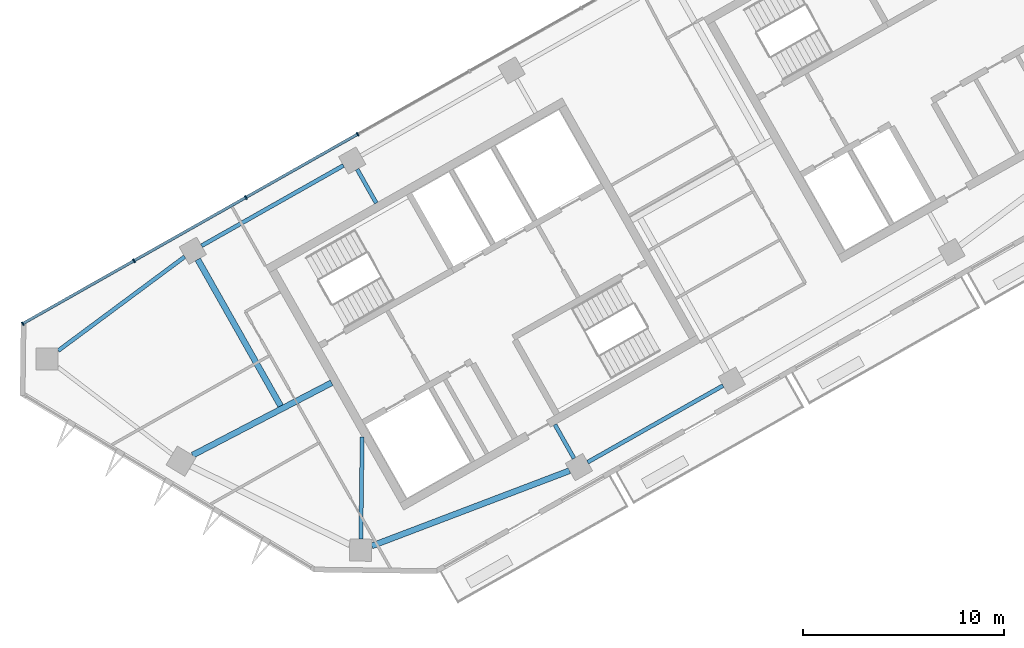
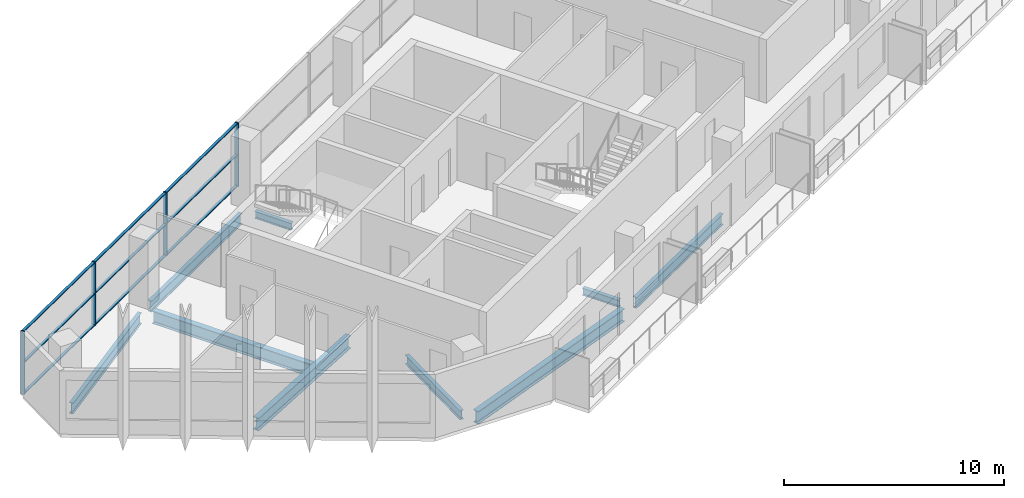
# One storey, part 2 of 10: 13 members, 9 beams, 1 element without a shape of its own.
"""IFC4 building model written with IfcOpenShell, lengths in metres."""

from ifc_helpers import new_model, si_unit, direction, frame, origin, origin_2d, place, context, subcontext, project, spatial, rectangle, i_section, extrude, material, material_profile, profile_set, type_object, element, aggregate, save


model = new_model("IFC4")

# Units and contexts
model_context = context("Model", 3, precision=1e-05, world=origin(), true_north=direction((0.0, 1.0)))
body_context = subcontext(model_context, "Body", "Model", "MODEL_VIEW")
ifc_project = project(units=[si_unit("LENGTHUNIT", "METRE"), si_unit("AREAUNIT", "SQUARE_METRE"), si_unit("VOLUMEUNIT", "CUBIC_METRE"), si_unit("PLANEANGLEUNIT", "RADIAN"), si_unit("MASSUNIT", "GRAM", prefix="KILO")], contexts=[model_context])

# Site, building, storey
site_placement = place(None, origin())
site = spatial("IfcSite", under=ifc_project, at=site_placement, CompositionType="ELEMENT")
building_placement = place(site_placement, origin())
building = spatial("IfcBuilding", under=site, at=building_placement, Name="Binnacle Exchange Tower", CompositionType="ELEMENT")
storey_placement = place(building_placement, frame((0.0, 0.0, 339.300048828125)))
storey = spatial("IfcBuildingStorey", under=building, at=storey_placement, Name="L77", CompositionType="ELEMENT", Elevation=339.300048828125)

# Curtain wall, members
ifc_material_1 = material(Name="Bronze anodised aluminium frame", Category="aluminium")
curtain_wall_type = type_object("IfcCurtainWallType", Name="External wall - curtain wall executive floors", PredefinedType="NOTDEFINED", material=ifc_material_1)
curtain_wall_placement = place(storey_placement, origin())
curtain_wall = element("IfcCurtainWall", 1, at=curtain_wall_placement, inside=storey, type_object=curtain_wall_type, Name="External wall curtain wall CW4-H03 L77", PredefinedType="NOTDEFINED")
ifc_material_profile_1 = material_profile(ifc_material_1, rectangle(XDim=0.199951171875, YDim=0.070068359375, at=origin_2d()), Name="AL 70x200")
ifc_profile_set_1 = profile_set([ifc_material_profile_1], Name="Bronze anodised aluminium frame")
member_type_1 = type_object("IfcMemberType", Name="CW4 MULLION 70x200", PredefinedType="MULLION", material=ifc_profile_set_1)
member_1_placement = place(storey_placement, frame((-42.0078125, 48.233154296875, 0.0), z_axis=(0.0, 0.0, 1.0), x_axis=(0.492423763019, -0.870355581136, 0.0)))
member_1 = element("IfcMember", 2, at=member_1_placement, type_object=member_type_1, Name="CW4-H03 mullion 8", PredefinedType="MULLION", context=body_context, shape_type="SweptSolid", body=[
    extrude(rectangle(XDim=0.199951171875, YDim=0.070068359375, at=origin_2d()), origin(), (0.0, 0.0, 1.0), 3.52001953125),
])
member_2_placement = place(storey_placement, frame((-47.58251953125, 45.0791015625, 0.0), z_axis=(0.0, 0.0, 1.0), x_axis=(0.492423763019, -0.870355581136, 0.0)))
member_2 = element("IfcMember", 3, at=member_2_placement, type_object=member_type_1, Name="CW4-H03 mullion 9", PredefinedType="MULLION", context=body_context, shape_type="SweptSolid", body=[
    extrude(rectangle(XDim=0.199951171875, YDim=0.070068359375, at=origin_2d()), origin(), (0.0, 0.0, 1.0), 3.52001953125),
])
member_3_placement = place(storey_placement, frame((-53.157470703125, 41.9248046875, 0.0), z_axis=(0.0, 0.0, 1.0), x_axis=(0.492423763019, -0.870355581136, 0.0)))
member_3 = element("IfcMember", 4, at=member_3_placement, type_object=member_type_1, Name="CW4-H03 mullion 10", PredefinedType="MULLION", context=body_context, shape_type="SweptSolid", body=[
    extrude(rectangle(XDim=0.199951171875, YDim=0.070068359375, at=origin_2d()), origin(), (0.0, 0.0, 1.0), 3.52001953125),
])
member_4_placement = place(storey_placement, frame((-58.701904296875, 38.7880859375, 0.0), z_axis=(0.0, 0.0, 1.0), x_axis=(0.492423763019, -0.870355581136, 0.0)))
member_4 = element("IfcMember", 5, at=member_4_placement, type_object=member_type_1, Name="CW4-H03 mullion 11", PredefinedType="MULLION", context=body_context, shape_type="SweptSolid", body=[
    extrude(rectangle(XDim=0.199951171875, YDim=0.070068359375, at=origin_2d()), origin(), (0.0, 0.0, 1.0), 3.52001953125),
])
ifc_material_profile_2 = material_profile(ifc_material_1, rectangle(XDim=0.139892578125, YDim=0.050048828125, at=origin_2d()), Name="AL 140x50")
ifc_profile_set_2 = profile_set([ifc_material_profile_2], Name="Bronze anodised aluminium frame")
member_type_2 = type_object("IfcMemberType", Name="CW4 TRANSOM 50x140", PredefinedType="USERDEFINED", material=ifc_profile_set_2)
member_5_placement = place(storey_placement, frame((-42.0380859375, 48.2158203125, 0.02490234375), z_axis=(-0.870355335808, -0.492424196633, 0.0), x_axis=(0.492424196633, -0.870355335808, 0.0)))
member_5 = element("IfcMember", 6, at=member_5_placement, type_object=member_type_2, Name="CW4-H03 transom 8.1", ObjectType="TRANSOM", PredefinedType="USERDEFINED", context=body_context, shape_type="SweptSolid", body=[
    extrude(rectangle(XDim=0.139892578125, YDim=0.050048828125, at=origin_2d()), origin(), (0.0, 0.0, 1.0), 6.335205078125),
])
member_6_placement = place(storey_placement, frame((-42.0380859375, 48.2158203125, 1.760009765625), z_axis=(-0.870355335808, -0.492424196633, 0.0), x_axis=(0.492424196633, -0.870355335808, 0.0)))
member_6 = element("IfcMember", 7, at=member_6_placement, type_object=member_type_2, Name="CW4-H03 transom 8.2", ObjectType="TRANSOM", PredefinedType="USERDEFINED", context=body_context, shape_type="SweptSolid", body=[
    extrude(rectangle(XDim=0.139892578125, YDim=0.050048828125, at=origin_2d()), origin(), (0.0, 0.0, 1.0), 6.335205078125),
])
member_7_placement = place(storey_placement, frame((-42.0380859375, 48.2158203125, 3.494873046875), z_axis=(-0.870355335808, -0.492424196633, 0.0), x_axis=(0.492424196633, -0.870355335808, 0.0)))
member_7 = element("IfcMember", 8, at=member_7_placement, type_object=member_type_2, Name="CW4-H03 transom 8.3", ObjectType="TRANSOM", PredefinedType="USERDEFINED", context=body_context, shape_type="SweptSolid", body=[
    extrude(rectangle(XDim=0.139892578125, YDim=0.050048828125, at=origin_2d()), origin(), (0.0, 0.0, 1.0), 6.335205078125),
])
member_8_placement = place(storey_placement, frame((-47.613037109375, 45.061767578125, 0.02490234375), z_axis=(-0.870355335808, -0.492424196633, 0.0), x_axis=(0.492424196633, -0.870355335808, 0.0)))
member_8 = element("IfcMember", 9, at=member_8_placement, type_object=member_type_2, Name="CW4-H03 transom 9.1", ObjectType="TRANSOM", PredefinedType="USERDEFINED", context=body_context, shape_type="SweptSolid", body=[
    extrude(rectangle(XDim=0.139892578125, YDim=0.050048828125, at=origin_2d()), origin(), (0.0, 0.0, 1.0), 6.335205078125),
])
member_9_placement = place(storey_placement, frame((-47.613037109375, 45.061767578125, 1.760009765625), z_axis=(-0.870355335808, -0.492424196633, 0.0), x_axis=(0.492424196633, -0.870355335808, 0.0)))
member_9 = element("IfcMember", 10, at=member_9_placement, type_object=member_type_2, Name="CW4-H03 transom 9.2", ObjectType="TRANSOM", PredefinedType="USERDEFINED", context=body_context, shape_type="SweptSolid", body=[
    extrude(rectangle(XDim=0.139892578125, YDim=0.050048828125, at=origin_2d()), origin(), (0.0, 0.0, 1.0), 6.335205078125),
])
member_10_placement = place(storey_placement, frame((-47.613037109375, 45.061767578125, 3.494873046875), z_axis=(-0.870355335808, -0.492424196633, 0.0), x_axis=(0.492424196633, -0.870355335808, 0.0)))
member_10 = element("IfcMember", 11, at=member_10_placement, type_object=member_type_2, Name="CW4-H03 transom 9.3", ObjectType="TRANSOM", PredefinedType="USERDEFINED", context=body_context, shape_type="SweptSolid", body=[
    extrude(rectangle(XDim=0.139892578125, YDim=0.050048828125, at=origin_2d()), origin(), (0.0, 0.0, 1.0), 6.335205078125),
])
member_11_placement = place(storey_placement, frame((-53.18798828125, 41.90771484375, 0.02490234375), z_axis=(-0.870343349272, -0.492445382126, 0.0), x_axis=(0.492445382126, -0.870343349272, 0.0)))
member_11 = element("IfcMember", 12, at=member_11_placement, type_object=member_type_2, Name="CW4-H03 transom 10.1", ObjectType="TRANSOM", PredefinedType="USERDEFINED", context=body_context, shape_type="SweptSolid", body=[
    extrude(rectangle(XDim=0.139892578125, YDim=0.050048828125, at=origin_2d()), origin(), (0.0, 0.0, 1.0), 6.30029296875),
])
member_12_placement = place(storey_placement, frame((-53.18798828125, 41.90771484375, 1.760009765625), z_axis=(-0.870343349272, -0.492445382126, 0.0), x_axis=(0.492445382126, -0.870343349272, 0.0)))
member_12 = element("IfcMember", 13, at=member_12_placement, type_object=member_type_2, Name="CW4-H03 transom 10.2", ObjectType="TRANSOM", PredefinedType="USERDEFINED", context=body_context, shape_type="SweptSolid", body=[
    extrude(rectangle(XDim=0.139892578125, YDim=0.050048828125, at=origin_2d()), origin(), (0.0, 0.0, 1.0), 6.30029296875),
])
member_13_placement = place(storey_placement, frame((-53.18798828125, 41.90771484375, 3.494873046875), z_axis=(-0.870343349272, -0.492445382126, 0.0), x_axis=(0.492445382126, -0.870343349272, 0.0)))
member_13 = element("IfcMember", 14, at=member_13_placement, type_object=member_type_2, Name="CW4-H03 transom 10.3", ObjectType="TRANSOM", PredefinedType="USERDEFINED", context=body_context, shape_type="SweptSolid", body=[
    extrude(rectangle(XDim=0.139892578125, YDim=0.050048828125, at=origin_2d()), origin(), (0.0, 0.0, 1.0), 6.30029296875),
])
aggregate(curtain_wall, [member_1, member_2, member_3, member_4, member_5, member_6, member_7, member_8, member_9, member_10, member_11, member_12, member_13])

# Beams
ifc_material_2 = material(Name="Steel S355 (SHN355)", Category="steel")
ifc_material_profile_3 = material_profile(ifc_material_2, i_section(OverallWidth=0.200927734375, OverallDepth=0.60595703125, WebThickness=0.011962890625, FlangeThickness=0.02001953125, FilletRadius=0.02197265625, at=origin_2d()), Name="H 606x201x12x20")
ifc_profile_set_3 = profile_set([ifc_material_profile_3], Name="Steel S355 (SHN355)")
beam_type_1 = type_object("IfcBeamType", Name="Edge girder H 606x201x12x20 Steel S355 (SHN355)", PredefinedType="SPANDREL", material=ifc_profile_set_3)
beam_1_placement = place(storey_placement, frame((-50.630615234375, 42.12255859375, -0.5830078125), z_axis=(-0.802881126557, -0.596139158769, 0.0), x_axis=(0.596139158769, -0.802881126557, 0.0)))
element("IfcBeam", 15, at=beam_1_placement, inside=storey, type_object=beam_type_1, Name="S:BM:edge:L77:005", PredefinedType="SPANDREL", context=body_context, shape_type="SweptSolid", body=[
    extrude(i_section(OverallWidth=0.200927734375, OverallDepth=0.60595703125, WebThickness=0.011962890625, FlangeThickness=0.02001953125, FilletRadius=0.02197265625, at=origin_2d()), origin(), (0.0, 0.0, 1.0), 7.855224609375),
])
beam_2_placement = place(storey_placement, frame((-30.540283203125, 31.881591796875, -0.5830078125), z_axis=(0.870358700717, 0.49241824914, 0.0), x_axis=(-0.49241824914, 0.870358700717, 0.0)))
element("IfcBeam", 16, at=beam_2_placement, inside=storey, type_object=beam_type_1, Name="S:BM:edge:L77:010", PredefinedType="SPANDREL", context=body_context, shape_type="SweptSolid", body=[
    extrude(i_section(OverallWidth=0.200927734375, OverallDepth=0.60595703125, WebThickness=0.011962890625, FlangeThickness=0.02001953125, FilletRadius=0.02197265625, at=origin_2d()), origin(), (0.0, 0.0, 1.0), 7.75439453125),
])
ifc_material_profile_4 = material_profile(ifc_material_2, i_section(OverallWidth=0.201904296875, OverallDepth=0.612060546875, WebThickness=0.012939453125, FlangeThickness=0.02294921875, FilletRadius=0.02197265625, at=origin_2d()), Name="H 612x202x13x23")
ifc_profile_set_4 = profile_set([ifc_material_profile_4], Name="Steel S355 (SHN355)")
beam_type_2 = type_object("IfcBeamType", Name="Edge girder H 612x202x13x23 Steel S355 (SHN355)", PredefinedType="SPANDREL", material=ifc_profile_set_4)
beam_3_placement = place(storey_placement, frame((-42.715087890625, 46.672607421875, -0.5859375), z_axis=(-0.870353024448, -0.49242828192, 0.0), x_axis=(0.49242828192, -0.870353024448, 0.0)))
element("IfcBeam", 17, at=beam_3_placement, inside=storey, type_object=beam_type_2, Name="S:BM:edge:L77:007", PredefinedType="SPANDREL", context=body_context, shape_type="SweptSolid", body=[
    extrude(i_section(OverallWidth=0.201904296875, OverallDepth=0.612060546875, WebThickness=0.012939453125, FlangeThickness=0.02294921875, FilletRadius=0.02197265625, at=origin_2d()), origin(), (0.0, 0.0, 1.0), 8.1298828125),
])
ifc_material_profile_5 = material_profile(ifc_material_2, i_section(OverallWidth=0.300048828125, OverallDepth=0.699951171875, WebThickness=0.012939453125, FlangeThickness=0.02392578125, FilletRadius=0.028076171875, at=origin_2d()), Name="H 700x300x13x24")
ifc_profile_set_5 = profile_set([ifc_material_profile_5], Name="Steel S355 (SHN355)")
beam_type_3 = type_object("IfcBeamType", Name="Edge girder H 700x300x13x24 Steel S355 (SHN355)", PredefinedType="SPANDREL", material=ifc_profile_set_5)
beam_4_placement = place(storey_placement, frame((-41.304931640625, 27.705078125, -0.630126953125), z_axis=(0.934635447744, 0.35560733938, 0.0), x_axis=(-0.35560733938, 0.934635447744, 0.0)))
element("IfcBeam", 18, at=beam_4_placement, inside=storey, type_object=beam_type_3, Name="S:BM:edge:L77:008", PredefinedType="SPANDREL", context=body_context, shape_type="SweptSolid", body=[
    extrude(i_section(OverallWidth=0.300048828125, OverallDepth=0.699951171875, WebThickness=0.012939453125, FlangeThickness=0.02392578125, FilletRadius=0.028076171875, at=origin_2d()), origin(), (0.0, 0.0, 1.0), 10.546142578125),
])
ifc_material_profile_6 = material_profile(ifc_material_2, i_section(OverallWidth=0.199951171875, OverallDepth=0.39990234375, WebThickness=0.008056640625, FlangeThickness=0.012939453125, FilletRadius=0.01611328125, at=origin_2d()), Name="H 400x200x8x13")
ifc_profile_set_6 = profile_set([ifc_material_profile_6], Name="Steel S355 (SHN355)")
beam_type_4 = type_object("IfcBeamType", Name="Floor beam H 400x200x8x13 Steel S355 (SHN355)", PredefinedType="BEAM", material=ifc_profile_set_6)
beam_5_placement = place(storey_placement, frame((-42.03369140625, 46.4833984375, -0.47998046875), z_axis=(0.492423244016, -0.870355874773, 0.0), x_axis=(0.870355874773, 0.492423244016, 0.0)))
element("IfcBeam", 19, at=beam_5_placement, inside=storey, type_object=beam_type_4, Name="S:BM:cross:L77:020", PredefinedType="BEAM", context=body_context, shape_type="SweptSolid", body=[
    extrude(i_section(OverallWidth=0.199951171875, OverallDepth=0.39990234375, WebThickness=0.008056640625, FlangeThickness=0.012939453125, FilletRadius=0.01611328125, at=origin_2d()), origin(), (0.0, 0.0, 1.0), 1.93408203125),
])
beam_6_placement = place(storey_placement, frame((-31.2216796875, 32.070556640625, -0.47998046875), z_axis=(-0.492518856771, 0.870301772792, 0.0), x_axis=(-0.870301772792, -0.492518856771, 0.0)))
element("IfcBeam", 20, at=beam_6_placement, inside=storey, type_object=beam_type_4, Name="S:BM:cross:L77:023", PredefinedType="BEAM", context=body_context, shape_type="SweptSolid", body=[
    extrude(i_section(OverallWidth=0.199951171875, OverallDepth=0.39990234375, WebThickness=0.008056640625, FlangeThickness=0.012939453125, FilletRadius=0.01611328125, at=origin_2d()), origin(), (0.0, 0.0, 1.0), 1.934326171875),
])
ifc_material_profile_7 = material_profile(ifc_material_2, i_section(OverallWidth=0.200927734375, OverallDepth=0.506103515625, WebThickness=0.010986328125, FlangeThickness=0.01904296875, FilletRadius=0.02001953125, at=origin_2d()), Name="H 506x201x11x19")
ifc_profile_set_7 = profile_set([ifc_material_profile_7], Name="Steel S355 (SHN355)")
beam_type_5 = type_object("IfcBeamType", Name="Floor beam H 506x201x11x19 Steel S355 (SHN355)", PredefinedType="BEAM", material=ifc_profile_set_7)
beam_7_placement = place(storey_placement, frame((-41.8505859375, 28.044921875, -0.532958984375), z_axis=(0.013115195493, 0.999913992125, 0.0), x_axis=(-0.999913992125, 0.013115195493, 0.0)))
element("IfcBeam", 21, at=beam_7_placement, inside=storey, type_object=beam_type_5, Name="S:BM:cross:L77:021", PredefinedType="BEAM", context=body_context, shape_type="SweptSolid", body=[
    extrude(i_section(OverallWidth=0.200927734375, OverallDepth=0.506103515625, WebThickness=0.010986328125, FlangeThickness=0.01904296875, FilletRadius=0.02001953125, at=origin_2d()), origin(), (0.0, 0.0, 1.0), 5.1005859375),
])
ifc_material_profile_8 = material_profile(ifc_material_2, i_section(OverallWidth=0.300048828125, OverallDepth=0.699951171875, WebThickness=0.012939453125, FlangeThickness=0.02392578125, FilletRadius=0.028076171875, at=origin_2d()), Name="H 700x300x13x24")
ifc_profile_set_8 = profile_set([ifc_material_profile_8], Name="Steel S355 (SHN355)")
beam_type_6 = type_object("IfcBeamType", Name="Floor beam H 700x300x13x24 Steel S355 (SHN355)", PredefinedType="BEAM", material=ifc_profile_set_8)
beam_8_placement = place(storey_placement, frame((-49.97998046875, 41.98779296875, -0.630126953125), z_axis=(0.492421517933, -0.870356851341, 0.0), x_axis=(0.870356851341, 0.492421517933, 0.0)))
element("IfcBeam", 22, at=beam_8_placement, inside=storey, type_object=beam_type_6, Name="S:BM:cross:L77:019", PredefinedType="BEAM", context=body_context, shape_type="SweptSolid", body=[
    extrude(i_section(OverallWidth=0.300048828125, OverallDepth=0.699951171875, WebThickness=0.012939453125, FlangeThickness=0.02392578125, FilletRadius=0.028076171875, at=origin_2d()), origin(), (0.0, 0.0, 1.0), 8.391357421875),
])
ifc_material_profile_9 = material_profile(ifc_material_2, i_section(OverallWidth=0.300048828125, OverallDepth=0.699951171875, WebThickness=0.012939453125, FlangeThickness=0.02392578125, FilletRadius=0.028076171875, at=origin_2d()), Name="H 700x300x13x24")
ifc_profile_set_9 = profile_set([ifc_material_profile_9], Name="Steel S355 (SHN355)")
beam_type_7 = type_object("IfcBeamType", Name="Spine girder H 700x300x13x24 Steel S355 (SHN355)", PredefinedType="BEAM", material=ifc_profile_set_9)
beam_9_placement = place(storey_placement, frame((-50.239990234375, 32.228759765625, -0.630126953125), z_axis=(0.886978864001, 0.461810020264, 0.0), x_axis=(-0.461810020264, 0.886978864001, 0.0)))
element("IfcBeam", 23, at=beam_9_placement, inside=storey, type_object=beam_type_7, Name="S:BM:spine:L77:001", PredefinedType="BEAM", context=body_context, shape_type="SweptSolid", body=[
    extrude(i_section(OverallWidth=0.300048828125, OverallDepth=0.699951171875, WebThickness=0.012939453125, FlangeThickness=0.02392578125, FilletRadius=0.028076171875, at=origin_2d()), origin(), (0.0, 0.0, 1.0), 7.815673828125),
])

save(model, "model.ifc")
